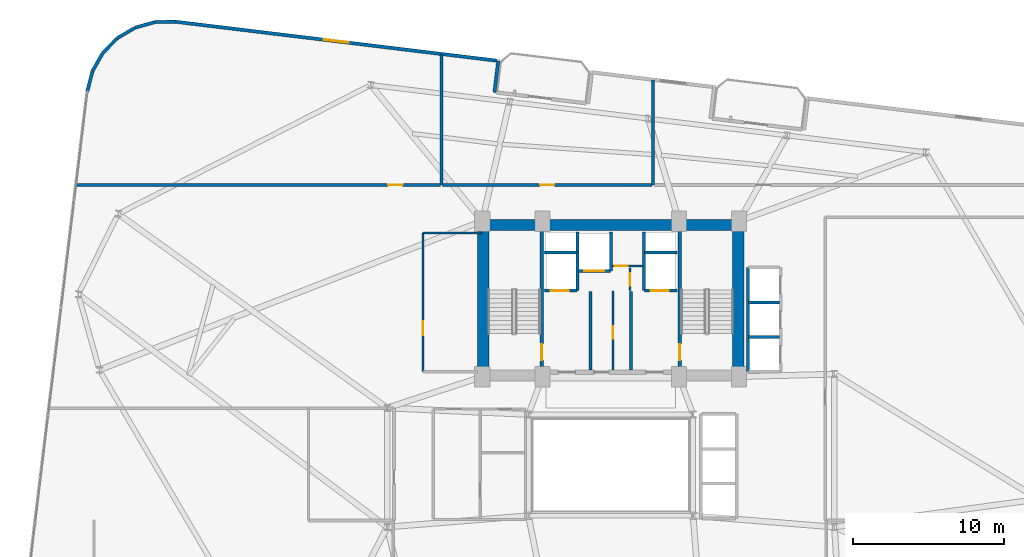
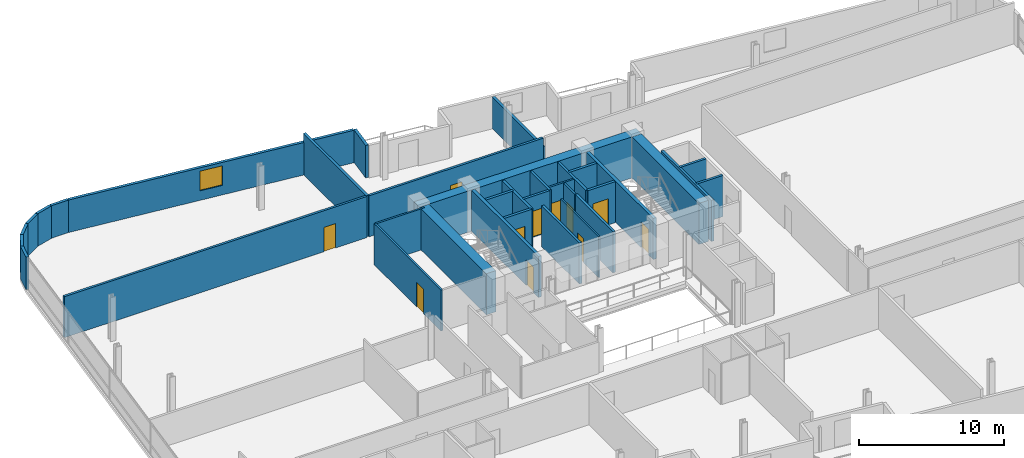
# One storey, part 22 of 25: 35 walls, 11 doors, 1 window, 12 openings.
"""IFC4 building model written with IfcOpenShell, lengths in metres."""

import ifcopenshell
import ifcopenshell.guid

model = None  # the IFC model being written
_history = None  # IfcOwnerHistory: only IFC2X3 demands one
_inside = {}  # id of a spatial element -> (the spatial element, [elements in it])
_under = {}  # id of a project, library or spatial element -> (it, [spatial elements below it])
_declared = {}  # id of a project -> (the project, [libraries it declares])
_typed = {}  # id of a type object -> (the type object, [elements of that type])
_made_of = {}  # id of a material, layer set ... -> (it, [elements and type objects made of it])


def new_model(schema):
    """Start an empty IFC model of exactly this schema.

    Asked for "IFC4X3", IfcOpenShell would pick the latest addendum, in which some entities
    have other attributes; the version numbers below select the first issue.
    IFC2X3 requires an IfcOwnerHistory on every rooted entity: one is made here for all.
    """
    global model, _history
    if schema == "IFC4X3":
        model = ifcopenshell.file(schema_version=(4, 3, 0, 0))
    else:
        model = ifcopenshell.file(schema=schema)
    _inside.clear()
    _under.clear()
    _declared.clear()
    _typed.clear()
    _made_of.clear()
    _history = None
    if model.schema == "IFC2X3":
        org = make("IfcOrganization", Name="unknown")
        user = make(
            "IfcPersonAndOrganization",
            ThePerson=make("IfcPerson", FamilyName="unknown"),
            TheOrganization=org,
        )
        app = make(
            "IfcApplication",
            ApplicationDeveloper=org,
            Version="unknown",
            ApplicationFullName="unknown",
            ApplicationIdentifier="unknown",
        )
        _history = make(
            "IfcOwnerHistory",
            OwningUser=user,
            OwningApplication=app,
            ChangeAction="ADDED",
            CreationDate=0,
        )
    return model


def make(cls, **values):
    """One entity of the class cls with the attributes given. An attribute that is None is left unset."""
    return model.create_entity(
        cls, **{name: value for name, value in values.items() if value is not None}
    )


def rooted(cls, **values):
    """An entity with a GlobalId (a new one), such as an element, a storey or a relation."""
    return make(cls, GlobalId=ifcopenshell.guid.new(), OwnerHistory=_history, **values)


def si_unit(unit_type, name, prefix=None):
    """IfcSIUnit, for example si_unit("LENGTHUNIT", "METRE", prefix="MILLI")."""
    return make("IfcSIUnit", UnitType=unit_type, Prefix=prefix, Name=name)


def assignment(units):
    """IfcUnitAssignment: the units of a project."""
    return None if units is None else make("IfcUnitAssignment", Units=units)


def point(xyz):
    """IfcCartesianPoint."""
    return None if xyz is None else make("IfcCartesianPoint", Coordinates=xyz)


def direction(xyz):
    """IfcDirection."""
    return None if xyz is None else make("IfcDirection", DirectionRatios=xyz)


def frame(location, z_axis=None, x_axis=None):
    """IfcAxis2Placement3D, a coordinate frame: its origin and axes. An axis left out is left unset."""
    return make(
        "IfcAxis2Placement3D",
        Location=point(location),
        Axis=direction(z_axis),
        RefDirection=direction(x_axis),
    )


def frame_2d(location, x_axis=None):
    """IfcAxis2Placement2D, a coordinate frame in the plane: its origin and x axis."""
    return make(
        "IfcAxis2Placement2D", Location=point(location), RefDirection=direction(x_axis)
    )


def origin():
    """The frame at (0, 0, 0) with its axes left unset."""
    return frame((0.0, 0.0, 0.0))


def place(relative_to, where):
    """IfcLocalPlacement: puts the frame where relative to a parent placement (None: the world)."""
    return make(
        "IfcLocalPlacement", PlacementRelTo=relative_to, RelativePlacement=where
    )


def context(
    kind, dimensions, precision=None, world=None, true_north=None, identifier=None
):
    """IfcGeometricRepresentationContext, for example the 3D "Model" context."""
    return make(
        "IfcGeometricRepresentationContext",
        ContextIdentifier=identifier,
        ContextType=kind,
        CoordinateSpaceDimension=dimensions,
        Precision=precision,
        WorldCoordinateSystem=world,
        TrueNorth=true_north,
    )


def subcontext(parent, identifier, kind, view, scale=None):
    """IfcGeometricRepresentationSubContext, for example "Body" below "Model"."""
    return make(
        "IfcGeometricRepresentationSubContext",
        ContextIdentifier=identifier,
        ContextType=kind,
        ParentContext=parent,
        TargetScale=scale,
        TargetView=view,
    )


def project(units=None, contexts=None):
    """IfcProject with its units and contexts."""
    return rooted(
        "IfcProject",
        Name="project",
        RepresentationContexts=contexts,
        UnitsInContext=assignment(units),
    )


def spatial(cls, under=None, at=None, **own):
    """A site, building, storey or space (cls), placed at a placement, below another one or the project."""
    s = rooted(cls, ObjectPlacement=at, **own)
    if under is not None:
        _under.setdefault(under.id(), (under, []))[1].append(s)
    return s


def profile(cls, at=None, kind="AREA", **sizes):
    """A parametric profile (cls). Its sizes go by their IFC names, for example OverallWidth=200.0."""
    return make(cls, ProfileType=kind, Position=at, **sizes)


def rectangle(**sizes):
    """IfcRectangleProfileDef."""
    return profile("IfcRectangleProfileDef", **sizes)


def extrude(swept, where, along, depth):
    """IfcExtrudedAreaSolid: the profile swept, set in the frame where, extruded along a direction by depth."""
    return make(
        "IfcExtrudedAreaSolid",
        SweptArea=swept,
        Position=where,
        ExtrudedDirection=direction(along),
        Depth=depth,
    )


def shape(context_of_items, identifier, shape_type, items):
    """IfcShapeRepresentation: the items that make up one representation, for example the "Body"."""
    return make(
        "IfcShapeRepresentation",
        ContextOfItems=context_of_items,
        RepresentationIdentifier=identifier,
        RepresentationType=shape_type,
        Items=items,
    )


def material(Name=None, Category=None):
    """IfcMaterial."""
    return make("IfcMaterial", Name=Name, Category=Category)


def layer(
    of_material, thickness, ventilated=None, Name=None, Category=None, Priority=None
):
    """IfcMaterialLayer: one layer of a wall or slab, of a material (None: an air gap)."""
    return make(
        "IfcMaterialLayer",
        Material=of_material,
        LayerThickness=thickness,
        IsVentilated=ventilated,
        Name=Name,
        Category=Category,
        Priority=Priority,
    )


def layer_set(layers, Name=None):
    """IfcMaterialLayerSet."""
    return make("IfcMaterialLayerSet", MaterialLayers=layers, LayerSetName=Name)


def made_of(thing, what):
    """Note that an element or type object is made of a material, layer set ...; save() writes the relation."""
    if what is not None:
        _made_of.setdefault(what.id(), (what, []))[1].append(thing)
    return thing


def type_object(cls, material=None, **own):
    """A type object (cls), such as IfcWallType, which elements share."""
    return made_of(rooted(cls, **own), material)


def element(
    cls,
    number,
    at=None,
    inside=None,
    cuts=None,
    type_object=None,
    material=None,
    context=None,
    identifier="Body",
    shape_type=None,
    held_by="IfcProductDefinitionShape",
    body=None,
    shapes=None,
    **own,
):
    """One element of the class cls, such as IfcWall. Its Tag is "e" and its number.

    at: its placement. inside: the storey or other place that contains it. cuts: it is an
    opening in that element (IfcRelVoidsElement). A single representation is given by context,
    identifier, shape_type and body (its items); several are given by shapes. held_by: the class
    of the entity that holds the representations. save() writes the other relations.
    """
    e = rooted(cls, Tag="e%d" % number, ObjectPlacement=at, **own)
    if body is not None:
        shapes = [shape(context, identifier, shape_type, body)]
    if shapes is not None:
        e.Representation = make(held_by, Representations=shapes)
    if inside is not None:
        _inside.setdefault(inside.id(), (inside, []))[1].append(e)
    if cuts is not None:
        rooted(
            "IfcRelVoidsElement", RelatingBuildingElement=cuts, RelatedOpeningElement=e
        )
    if type_object is not None:
        _typed.setdefault(type_object.id(), (type_object, []))[1].append(e)
    return made_of(e, material)


def fill(opening, filler):
    """IfcRelFillsElement: the door or window that sits in an opening."""
    return rooted(
        "IfcRelFillsElement",
        RelatingOpeningElement=opening,
        RelatedBuildingElement=filler,
    )


def aggregate(whole, parts):
    """IfcRelAggregates: a whole, such as a stair, and the parts it consists of."""
    return rooted("IfcRelAggregates", RelatingObject=whole, RelatedObjects=parts)


def save(model, path):
    """Write the relations noted so far, then the file.

    IfcRelAggregates (storeys below a building ...), IfcRelContainedInSpatialStructure (elements
    in a storey), IfcRelDefinesByType, IfcRelAssociatesMaterial and IfcRelDeclares: one each for
    every whole, place, type object, material and project.
    """
    for whole, parts in _under.values():
        aggregate(whole, parts)
    for where, things in _inside.values():
        rooted(
            "IfcRelContainedInSpatialStructure",
            RelatedElements=things,
            RelatingStructure=where,
        )
    for kind, things in _typed.values():
        rooted("IfcRelDefinesByType", RelatedObjects=things, RelatingType=kind)
    for what, things in _made_of.values():
        rooted("IfcRelAssociatesMaterial", RelatedObjects=things, RelatingMaterial=what)
    for by, libraries in _declared.values():
        rooted("IfcRelDeclares", RelatingContext=by, RelatedDefinitions=libraries)
    model.write(path)


model = new_model("IFC4")

# Units and contexts
model_context = context("Model", 3, precision=1e-05, world=origin(), true_north=direction((0.0, 1.0)))
body_context = subcontext(model_context, "Body", "Model", "MODEL_VIEW")
ifc_project = project(units=[si_unit("LENGTHUNIT", "METRE"), si_unit("AREAUNIT", "SQUARE_METRE"), si_unit("VOLUMEUNIT", "CUBIC_METRE"), si_unit("PLANEANGLEUNIT", "RADIAN"), si_unit("MASSUNIT", "GRAM", prefix="KILO")], contexts=[model_context])

# Site, building, storey
site_placement = place(None, origin())
site = spatial("IfcSite", under=ifc_project, at=site_placement, CompositionType="ELEMENT")
building_placement = place(site_placement, origin())
building = spatial("IfcBuilding", under=site, at=building_placement, Name="Varnelok Gate Tower", CompositionType="ELEMENT")
storey_placement = place(building_placement, frame((0.0, 0.0, 136.5)))
storey = spatial("IfcBuildingStorey", under=building, at=storey_placement, Name="L34", CompositionType="ELEMENT", Elevation=136.5)

# Wall
ifc_material_1 = material(Name="Concrete C45/55", Category="concrete")
ifc_layer_1 = layer(ifc_material_1, 0.219970703125)
ifc_layer_set_1 = layer_set([ifc_layer_1], Name="Concrete C45/55")
wall_type_1 = type_object("IfcWallType", Name="EW-BALC-220", PredefinedType="SOLIDWALL", material=ifc_layer_set_1)
wall_1_placement = place(storey_placement, frame((31.50390625, 47.568115234375, 0.0), z_axis=(0.0, 0.0, 1.0), x_axis=(0.120341784665, 0.992732519294, 0.0)))
element("IfcWall", 1, at=wall_1_placement, inside=storey, type_object=wall_type_1, Name="L34 Perimeter Facade Closure Wall 31", PredefinedType="SOLIDWALL", context=body_context, shape_type="SweptSolid", body=[
    extrude(rectangle(XDim=2.099853515625, YDim=0.219970703125, at=frame_2d((1.0498046875, 0.0))), origin(), (0.0, 0.0, 1.0), 2.72998046875),
])

# Wall, opening, window
wall_2_placement = place(storey_placement, frame((31.632568359375, 49.667724609375, 0.0), z_axis=(0.0, 0.0, 1.0), x_axis=(-0.992731670483, 0.120348786531, 0.0)))
wall_2 = element("IfcWall", 2, at=wall_2_placement, inside=storey, type_object=wall_type_1, Name="L34 Perimeter Facade Closure Wall 32", PredefinedType="SOLIDWALL", context=body_context, shape_type="SweptSolid", body=[
    extrude(rectangle(XDim=21.34716796875, YDim=0.219970703125, at=frame_2d((10.673583984375, 0.0))), origin(), (0.0, 0.0, 1.0), 2.72998046875),
])
opening_1_placement = place(wall_2_placement, frame((9.8486328125, 0.0, 0.800048828125)))
opening_1 = element("IfcOpeningElement", 3, at=opening_1_placement, cuts=wall_2, Name="Opening WN3", PredefinedType="OPENING", context=body_context, shape_type="SweptSolid", body=[
    extrude(rectangle(XDim=1.64990234375, YDim=1.64990234375, at=frame_2d((0.824951171875, 0.824951171875))), frame((0.0, 0.119873046875, 0.0), z_axis=(0.0, -1.0, 0.0), x_axis=(1.0, 0.0, 0.0)), (0.0, 0.0, 1.0), 0.239990234375),
])
ifc_material_2 = material(Name="Low-E Laminated Double Glazing IGU", Category="glass")
window_type = type_object("IfcWindowType", Name="WN-HTL-1650", PartitioningType="SINGLE_PANEL", PredefinedType="WINDOW", material=ifc_material_2)
window_placement = place(opening_1_placement, origin())
window = element("IfcWindow", 4, at=window_placement, inside=storey, type_object=window_type, Name="L34 Perimeter Vision Window 32", OverallHeight=1.64990234375, OverallWidth=1.64990234375, PartitioningType="SINGLE_PANEL", PredefinedType="WINDOW", context=body_context, shape_type="SweptSolid", body=[
    extrude(rectangle(XDim=1.64990234375, YDim=1.64990234375, at=frame_2d((0.824951171875, 0.824951171875))), frame((0.0, 0.030029296875, 0.0), z_axis=(0.0, -1.0, 0.0), x_axis=(1.0, 0.0, 0.0)), (0.0, 0.0, 1.0), 0.06005859375),
])
fill(opening_1, window)

# Walls
wall_3_placement = place(storey_placement, frame((10.41552734375, 52.236572265625, 0.0), z_axis=(0.0, 0.0, 1.0), x_axis=(-0.999947718056, -0.010225514878, 0.0)))
element("IfcWall", 5, at=wall_3_placement, inside=storey, type_object=wall_type_1, Name="L34 Perimeter Facade Closure Wall 33", PredefinedType="SOLIDWALL", context=body_context, shape_type="SweptSolid", body=[
    extrude(rectangle(XDim=1.36083984375, YDim=0.219970703125, at=frame_2d((0.680419921875, 0.0))), origin(), (0.0, 0.0, 1.0), 2.72998046875),
])
for number, where, z_axis, x_axis, name in (
    (6, (9.030517578125, 52.2158203125, 0.0), (0.0, 0.0, 1.0), (-0.963227802828, -0.268686061898, 0.0), "L34 Perimeter Facade Closure Wall 34"),
    (7, (7.70556640625, 51.839599609375, 0.0), (0.0, 0.0, 1.0), (-0.860739665837, -0.509045408244, 0.0), "L34 Perimeter Facade Closure Wall 35"),
):
    element("IfcWall", number, at=place(storey_placement, frame(where, z_axis=z_axis, x_axis=x_axis)), inside=storey, type_object=wall_type_1, Name=name, PredefinedType="SOLIDWALL", context=body_context, shape_type="SweptSolid", body=[
        extrude(rectangle(XDim=1.35302734375, YDim=0.219970703125, at=frame_2d((0.676513671875, 0.0))), origin(), (0.0, 0.0, 1.0), 2.72998046875),
    ])
wall_4_placement = place(storey_placement, frame((6.5234375, 51.13330078125, 0.0), z_axis=(0.0, 0.0, 1.0), x_axis=(-0.699762925925, -0.714375144795, 0.0)))
element("IfcWall", 8, at=wall_4_placement, inside=storey, type_object=wall_type_1, Name="L34 Perimeter Facade Closure Wall 36", PredefinedType="SOLIDWALL", context=body_context, shape_type="SweptSolid", body=[
    extrude(rectangle(XDim=1.353271484375, YDim=0.219970703125, at=frame_2d((0.6767578125, 0.0))), origin(), (0.0, 0.0, 1.0), 2.72998046875),
])
wall_5_placement = place(storey_placement, frame((5.564208984375, 50.144775390625, 0.0), z_axis=(0.0, 0.0, 1.0), x_axis=(-0.491117621399, -0.871093268227, 0.0)))
element("IfcWall", 9, at=wall_5_placement, inside=storey, type_object=wall_type_1, Name="L34 Perimeter Facade Closure Wall 37", PredefinedType="SOLIDWALL", context=body_context, shape_type="SweptSolid", body=[
    extrude(rectangle(XDim=1.35302734375, YDim=0.219970703125, at=frame_2d((0.676513671875, 0.0))), origin(), (0.0, 0.0, 1.0), 2.72998046875),
])
wall_6_placement = place(storey_placement, frame((4.8935546875, 48.94189453125, 0.0), z_axis=(0.0, 0.0, 1.0), x_axis=(-0.248857256909, -0.968540172468, 0.0)))
element("IfcWall", 10, at=wall_6_placement, inside=storey, type_object=wall_type_1, Name="L34 Perimeter Facade Closure Wall 38", PredefinedType="SOLIDWALL", context=body_context, shape_type="SweptSolid", body=[
    extrude(rectangle(XDim=1.352783203125, YDim=0.219970703125, at=frame_2d((0.67626953125, 0.0))), origin(), (0.0, 0.0, 1.0), 2.72998046875),
])

# Wall, opening, door
ifc_material_3 = material(Name="Gypsum Plasterboard Acoustic Partition", Category="gypsum")
ifc_layer_2 = layer(ifc_material_3, 0.179931640625)
ifc_layer_set_2 = layer_set([ifc_layer_2], Name="Gypsum Plasterboard Acoustic Partition")
wall_type_2 = type_object("IfcWallType", Name="PW-CORR-180", PredefinedType="PARTITIONING", material=ifc_layer_set_2)
wall_7_placement = place(storey_placement, frame((3.864013671875, 41.429931640625, 0.0), z_axis=(0.0, 0.0, 1.0), x_axis=(1.0, 0.0, 0.0)))
wall_7 = element("IfcWall", 11, at=wall_7_placement, inside=storey, type_object=wall_type_2, Name="Interior Partition", PredefinedType="PARTITIONING", context=body_context, shape_type="SweptSolid", body=[
    extrude(rectangle(XDim=24.055908203125, YDim=0.179931640625, at=frame_2d((12.02783203125, 0.0))), origin(), (0.0, 0.0, 1.0), 3.449951171875),
])
opening_2_placement = place(wall_7_placement, frame((20.61083984375, 0.0, 0.0)))
opening_2 = element("IfcOpeningElement", 12, at=opening_2_placement, cuts=wall_7, Name="Opening D-I2", PredefinedType="OPENING", context=body_context, shape_type="SweptSolid", body=[
    extrude(rectangle(XDim=0.949951171875, YDim=2.050048828125, at=frame_2d((0.47509765625, 1.02490234375))), frame((0.0, 0.099853515625, 0.0), z_axis=(0.0, -1.0, 0.0), x_axis=(1.0, 0.0, 0.0)), (0.0, 0.0, 1.0), 0.199951171875),
])
ifc_material_4 = material(Name="Engineered Hardwood Timber", Category="wood")
door_type_1 = type_object("IfcDoorType", Name="DR-INT-950", OperationType="NOTDEFINED", PredefinedType="DOOR", material=ifc_material_4)
door_1_placement = place(opening_2_placement, origin())
door_1 = element("IfcDoor", 13, at=door_1_placement, inside=storey, type_object=door_type_1, Name="L34 Executive Business Office 1 Door", OperationType="SINGLE_SWING_LEFT", OverallHeight=2.050048828125, OverallWidth=0.949951171875, PredefinedType="DOOR", context=body_context, shape_type="SweptSolid", body=[
    extrude(rectangle(XDim=0.949951171875, YDim=2.050048828125, at=frame_2d((0.47509765625, 1.02490234375))), frame((0.0, 0.02490234375, 0.0), z_axis=(0.0, -1.0, 0.0), x_axis=(1.0, 0.0, 0.0)), (0.0, 0.0, 1.0), 0.050048828125),
])
fill(opening_2, door_1)

wall_8_placement = place(storey_placement, frame((28.080078125, 41.429931640625, 0.0), z_axis=(0.0, 0.0, 1.0), x_axis=(1.0, 0.0, 0.0)))
wall_8 = element("IfcWall", 14, at=wall_8_placement, inside=storey, type_object=wall_type_2, Name="Interior Partition", PredefinedType="PARTITIONING", context=body_context, shape_type="SweptSolid", body=[
    extrude(rectangle(XDim=13.83984375, YDim=0.179931640625, at=frame_2d((6.919921875, 0.0))), origin(), (0.0, 0.0, 1.0), 3.449951171875),
])
opening_3_placement = place(wall_8_placement, frame((6.445068359375, 0.0, 0.0)))
opening_3 = element("IfcOpeningElement", 15, at=opening_3_placement, cuts=wall_8, Name="Opening D-I2", PredefinedType="OPENING", context=body_context, shape_type="SweptSolid", body=[
    extrude(rectangle(XDim=0.949951171875, YDim=2.050048828125, at=frame_2d((0.47509765625, 1.02490234375))), frame((0.0, 0.099853515625, 0.0), z_axis=(0.0, -1.0, 0.0), x_axis=(1.0, 0.0, 0.0)), (0.0, 0.0, 1.0), 0.199951171875),
])
door_2_placement = place(opening_3_placement, origin())
door_2 = element("IfcDoor", 16, at=door_2_placement, inside=storey, type_object=door_type_1, Name="L34 Executive Business Office 2 Door", OperationType="SINGLE_SWING_LEFT", OverallHeight=2.050048828125, OverallWidth=0.949951171875, PredefinedType="DOOR", context=body_context, shape_type="SweptSolid", body=[
    extrude(rectangle(XDim=0.949951171875, YDim=2.050048828125, at=frame_2d((0.47509765625, 1.02490234375))), frame((0.0, 0.02490234375, 0.0), z_axis=(0.0, -1.0, 0.0), x_axis=(1.0, 0.0, 0.0)), (0.0, 0.0, 1.0), 0.050048828125),
])
fill(opening_3, door_2)

ifc_layer_3 = layer(ifc_material_3, 0.125)
ifc_layer_set_3 = layer_set([ifc_layer_3], Name="Gypsum Plasterboard Acoustic Partition")
wall_type_3 = type_object("IfcWallType", Name="PW-PART-125", PredefinedType="PARTITIONING", material=ifc_layer_set_3)
wall_9_placement = place(storey_placement, frame((39.35009765625, 29.199951171875, 0.0), z_axis=(0.0, 0.0, 1.0), x_axis=(0.0, 1.0, 0.0)))
wall_9 = element("IfcWall", 17, at=wall_9_placement, inside=storey, type_object=wall_type_3, Name="Interior Partition", PredefinedType="PARTITIONING", context=body_context, shape_type="SweptSolid", body=[
    extrude(rectangle(XDim=5.219970703125, YDim=0.125, at=frame_2d((2.60986328125, 0.0))), origin(), (0.0, 0.0, 1.0), 3.449951171875),
])
opening_4_placement = place(wall_9_placement, frame((2.050048828125, 0.0, 0.0)))
opening_4 = element("IfcOpeningElement", 18, at=opening_4_placement, cuts=wall_9, Name="Opening D-RS", PredefinedType="OPENING", context=body_context, shape_type="SweptSolid", body=[
    extrude(rectangle(XDim=0.85009765625, YDim=2.050048828125, at=frame_2d((0.425048828125, 1.02490234375))), frame((0.0, 0.072509765625, 0.0), z_axis=(0.0, -1.0, 0.0), x_axis=(1.0, 0.0, 0.0)), (0.0, 0.0, 1.0), 0.14501953125),
])
ifc_material_5 = material(Name="Galvanized Steel Grade S350GD", Category="steel")
door_type_2 = type_object("IfcDoorType", Name="DR-RISER-850", OperationType="NOTDEFINED", PredefinedType="DOOR", material=ifc_material_5)
door_3_placement = place(opening_4_placement, origin())
door_3 = element("IfcDoor", 19, at=door_3_placement, inside=storey, type_object=door_type_2, Name="L34 Housekeeping Linen Door", OperationType="SINGLE_SWING_RIGHT", OverallHeight=2.050048828125, OverallWidth=0.85009765625, PredefinedType="DOOR", context=body_context, shape_type="SweptSolid", body=[
    extrude(rectangle(XDim=0.85009765625, YDim=2.050048828125, at=frame_2d((0.425048828125, 1.02490234375))), frame((0.0, 0.02490234375, 0.0), z_axis=(0.0, -1.0, 0.0), x_axis=(1.0, 0.0, 0.0)), (0.0, 0.0, 1.0), 0.050048828125),
])
fill(opening_4, door_3)

ifc_layer_4 = layer(ifc_material_3, 0.14990234375)
ifc_layer_set_4 = layer_set([ifc_layer_4], Name="Gypsum Plasterboard Acoustic Partition")
wall_type_4 = type_object("IfcWallType", Name="PW-PART-150", PredefinedType="PARTITIONING", material=ifc_layer_set_4)
wall_10_placement = place(storey_placement, frame((39.300048828125, 36.080078125, 0.0), z_axis=(0.0, 0.0, 1.0), x_axis=(1.0, 0.0, 0.0)))
wall_10 = element("IfcWall", 20, at=wall_10_placement, inside=storey, type_object=wall_type_4, Name="L34 Electrical Closet South Wall", PredefinedType="PARTITIONING", context=body_context, shape_type="SweptSolid", body=[
    extrude(rectangle(XDim=2.02001953125, YDim=0.14990234375, at=frame_2d((1.010009765625, 0.0))), origin(), (0.0, 0.0, 1.0), 3.449951171875),
])
opening_5_placement = place(wall_10_placement, frame((0.179931640625, 0.0, 0.0)))
opening_5 = element("IfcOpeningElement", 21, at=opening_5_placement, cuts=wall_10, Name="Opening D-RS", PredefinedType="OPENING", context=body_context, shape_type="SweptSolid", body=[
    extrude(rectangle(XDim=0.85009765625, YDim=2.050048828125, at=frame_2d((0.425048828125, 1.02490234375))), frame((0.0, 0.0849609375, 0.0), z_axis=(0.0, -1.0, 0.0), x_axis=(1.0, 0.0, 0.0)), (0.0, 0.0, 1.0), 0.169921875),
])
door_4_placement = place(opening_5_placement, origin())
door_4 = element("IfcDoor", 22, at=door_4_placement, inside=storey, type_object=door_type_2, Name="L34 Electrical Closet Door", OperationType="SINGLE_SWING_RIGHT", OverallHeight=2.050048828125, OverallWidth=0.85009765625, PredefinedType="DOOR", context=body_context, shape_type="SweptSolid", body=[
    extrude(rectangle(XDim=0.85009765625, YDim=2.050048828125, at=frame_2d((0.425048828125, 1.02490234375))), frame((0.0, 0.02490234375, 0.0), z_axis=(0.0, -1.0, 0.0), x_axis=(1.0, 0.0, 0.0)), (0.0, 0.0, 1.0), 0.050048828125),
])
fill(opening_5, door_4)

wall_11_placement = place(storey_placement, frame((40.47998046875, 34.43994140625, 0.0), z_axis=(0.0, 0.0, 1.0), x_axis=(0.0, 1.0, 0.0)))
wall_11 = element("IfcWall", 23, at=wall_11_placement, inside=storey, type_object=wall_type_4, Name="L34 Telecoms Closet West Wall", PredefinedType="PARTITIONING", context=body_context, shape_type="SweptSolid", body=[
    extrude(rectangle(XDim=1.52001953125, YDim=0.14990234375, at=frame_2d((0.760009765625, 0.0))), origin(), (0.0, 0.0, 1.0), 3.449951171875),
])
opening_6_placement = place(wall_11_placement, frame((0.320068359375, 0.0, 0.0)))
opening_6 = element("IfcOpeningElement", 24, at=opening_6_placement, cuts=wall_11, Name="Opening D-RS", PredefinedType="OPENING", context=body_context, shape_type="SweptSolid", body=[
    extrude(rectangle(XDim=0.85009765625, YDim=2.050048828125, at=frame_2d((0.425048828125, 1.02490234375))), frame((0.0, 0.0849609375, 0.0), z_axis=(0.0, -1.0, 0.0), x_axis=(1.0, 0.0, 0.0)), (0.0, 0.0, 1.0), 0.169921875),
])
door_5_placement = place(opening_6_placement, origin())
door_5 = element("IfcDoor", 25, at=door_5_placement, inside=storey, type_object=door_type_2, Name="L34 Telecoms Closet Door", OperationType="SINGLE_SWING_LEFT", OverallHeight=2.050048828125, OverallWidth=0.85009765625, PredefinedType="DOOR", context=body_context, shape_type="SweptSolid", body=[
    extrude(rectangle(XDim=0.85009765625, YDim=2.050048828125, at=frame_2d((0.425048828125, 1.02490234375))), frame((0.0, 0.02490234375, 0.0), z_axis=(0.0, -1.0, 0.0), x_axis=(1.0, 0.0, 0.0)), (0.0, 0.0, 1.0), 0.050048828125),
])
fill(opening_6, door_5)

# Wall
wall_12_placement = place(storey_placement, frame((26.780029296875, 38.260009765625, 0.0), z_axis=(0.0, 0.0, 1.0), x_axis=(1.0, 0.0, 0.0)))
element("IfcWall", 26, at=wall_12_placement, inside=storey, type_object=wall_type_4, Name="Interior Partition", PredefinedType="PARTITIONING", context=body_context, shape_type="SweptSolid", body=[
    extrude(rectangle(XDim=3.89990234375, YDim=0.14990234375, at=frame_2d((1.949951171875, 0.0))), origin(), (0.0, 0.0, 1.0), 3.449951171875),
])

# Wall, opening, door
wall_13_placement = place(storey_placement, frame((26.780029296875, 29.080078125, 0.0), z_axis=(0.0, 0.0, 1.0), x_axis=(0.0, 1.0, 0.0)))
wall_13 = element("IfcWall", 27, at=wall_13_placement, inside=storey, type_object=wall_type_4, Name="Interior Partition", PredefinedType="PARTITIONING", context=body_context, shape_type="SweptSolid", body=[
    extrude(rectangle(XDim=9.179931640625, YDim=0.14990234375, at=frame_2d((4.58984375, 0.0))), origin(), (0.0, 0.0, 1.0), 3.449951171875),
])
opening_7_placement = place(wall_13_placement, frame((2.39990234375, 0.0, 0.0)))
opening_7 = element("IfcOpeningElement", 28, at=opening_7_placement, cuts=wall_13, Name="Opening D-I2", PredefinedType="OPENING", context=body_context, shape_type="SweptSolid", body=[
    extrude(rectangle(XDim=0.949951171875, YDim=2.050048828125, at=frame_2d((0.47509765625, 1.02490234375))), frame((0.0, 0.0849609375, 0.0), z_axis=(0.0, -1.0, 0.0), x_axis=(1.0, 0.0, 0.0)), (0.0, 0.0, 1.0), 0.169921875),
])
door_6_placement = place(opening_7_placement, origin())
door_6 = element("IfcDoor", 29, at=door_6_placement, inside=storey, type_object=door_type_1, Name="L34 Reclaimed Housekeeping Door", OperationType="SINGLE_SWING_RIGHT", OverallHeight=2.050048828125, OverallWidth=0.949951171875, PredefinedType="DOOR", context=body_context, shape_type="SweptSolid", body=[
    extrude(rectangle(XDim=0.949951171875, YDim=2.050048828125, at=frame_2d((0.47509765625, 1.02490234375))), frame((0.0, 0.02490234375, 0.0), z_axis=(0.0, -1.0, 0.0), x_axis=(1.0, 0.0, 0.0)), (0.0, 0.0, 1.0), 0.050048828125),
])
fill(opening_7, door_6)

# Walls
ifc_layer_5 = layer(ifc_material_3, 0.205078125)
ifc_layer_set_5 = layer_set([ifc_layer_5], Name="Gypsum Plasterboard Acoustic Partition")
wall_type_5 = type_object("IfcWallType", Name="PW-PARTY-200", PredefinedType="PARTITIONING", material=ifc_layer_set_5)
wall_14_placement = place(storey_placement, frame((28.0, 41.429931640625, 0.0), z_axis=(0.0, 0.0, 1.0), x_axis=(0.0, 1.0, 0.0)))
element("IfcWall", 30, at=wall_14_placement, inside=storey, type_object=wall_type_5, Name="L34 North Party Wall 1", PredefinedType="PARTITIONING", context=body_context, shape_type="SweptSolid", body=[
    extrude(rectangle(XDim=8.657958984375, YDim=0.205078125, at=frame_2d((4.3291015625, 0.0))), origin(), (0.0, 0.0, 1.0), 3.449951171875),
])
wall_15_placement = place(storey_placement, frame((42.0, 41.429931640625, 0.0), z_axis=(0.0, 0.0, 1.0), x_axis=(0.0, 1.0, 0.0)))
element("IfcWall", 31, at=wall_15_placement, inside=storey, type_object=wall_type_5, Name="L34 North Party Wall 2", PredefinedType="PARTITIONING", context=body_context, shape_type="SweptSolid", body=[
    extrude(rectangle(XDim=6.9609375, YDim=0.205078125, at=frame_2d((3.48046875, 0.0))), origin(), (0.0, 0.0, 1.0), 2.662109375),
])
ifc_material_6 = material(Name="Concrete C35/45", Category="concrete")
ifc_layer_6 = layer(ifc_material_6, 0.199951171875)
ifc_layer_set_6 = layer_set([ifc_layer_6], Name="Concrete C35/45")
wall_type_6 = type_object("IfcWallType", Name="PW-SHAFT-200", PredefinedType="PARTITIONING", material=ifc_layer_set_6)
for number, where, z_axis, x_axis, name in (
    (32, (37.860107421875, 29.199951171875, 0.0), (0.0, 0.0, 1.0), (0.0, 1.0, 0.0), "L34 West FF Lobby Rated Wall"),
    (33, (40.5400390625, 29.199951171875, 0.0), (0.0, 0.0, 1.0), (0.0, 1.0, 0.0), "L34 East FF Lobby Rated Wall"),
):
    element("IfcWall", number, at=place(storey_placement, frame(where, z_axis=z_axis, x_axis=x_axis)), inside=storey, type_object=wall_type_6, Name=name, PredefinedType="PARTITIONING", context=body_context, shape_type="SweptSolid", body=[
        extrude(rectangle(XDim=5.179931640625, YDim=0.199951171875, at=frame_2d((2.58984375, 0.0))), origin(), (0.0, 0.0, 1.0), 3.449951171875),
    ])

# Wall, opening, door
wall_16_placement = place(storey_placement, frame((34.800048828125, 34.43994140625, 0.0), z_axis=(0.0, 0.0, 1.0), x_axis=(1.0, 0.0, 0.0)))
wall_16 = element("IfcWall", 34, at=wall_16_placement, inside=storey, type_object=wall_type_6, Name="L34 FF1 Shaft Front Wall", PredefinedType="PARTITIONING", context=body_context, shape_type="SweptSolid", body=[
    extrude(rectangle(XDim=2.179931640625, YDim=0.199951171875, at=frame_2d((1.08984375, 0.0))), origin(), (0.0, 0.0, 1.0), 3.449951171875),
])
opening_8_placement = place(wall_16_placement, frame((0.419921875, 0.0, 0.0)))
opening_8 = element("IfcOpeningElement", 35, at=opening_8_placement, cuts=wall_16, Name="Opening LD-FF1", PredefinedType="OPENING", context=body_context, shape_type="SweptSolid", body=[
    extrude(rectangle(XDim=1.199951171875, YDim=2.199951171875, at=frame_2d((0.60009765625, 1.10009765625))), frame((0.0, 0.10986328125, 0.0), z_axis=(0.0, -1.0, 0.0), x_axis=(1.0, 0.0, 0.0)), (0.0, 0.0, 1.0), 0.219970703125),
])
door_type_3 = type_object("IfcDoorType", Name="DR-LIFT-FF1200", OperationType="SLIDING_TO_LEFT", PredefinedType="DOOR", material=ifc_material_5)
door_7_placement = place(opening_8_placement, origin())
door_7 = element("IfcDoor", 36, at=door_7_placement, inside=storey, type_object=door_type_3, Name="L34 Firefighting Lift Landing Door LD-FF1", OperationType="SLIDING_TO_LEFT", OverallHeight=2.199951171875, OverallWidth=1.199951171875, PredefinedType="DOOR", context=body_context, shape_type="SweptSolid", body=[
    extrude(rectangle(XDim=1.199951171875, YDim=2.199951171875, at=frame_2d((0.60009765625, 1.10009765625))), frame((0.0, 0.02490234375, 0.0), z_axis=(0.0, -1.0, 0.0), x_axis=(1.0, 0.0, 0.0)), (0.0, 0.0, 1.0), 0.050048828125),
])
fill(opening_8, door_7)

# Walls
wall_17_placement = place(storey_placement, frame((34.800048828125, 36.97998046875, 0.0), z_axis=(0.0, 0.0, 1.0), x_axis=(1.0, 0.0, 0.0)))
element("IfcWall", 37, at=wall_17_placement, inside=storey, type_object=wall_type_6, Name="L34 FF1 Shaft North Wall", PredefinedType="PARTITIONING", context=body_context, shape_type="SweptSolid", body=[
    extrude(rectangle(XDim=2.179931640625, YDim=0.199951171875, at=frame_2d((1.08984375, 0.0))), origin(), (0.0, 0.0, 1.0), 3.449951171875),
])
wall_18_placement = place(storey_placement, frame((37.0, 34.43994140625, 0.0), z_axis=(0.0, 0.0, 1.0), x_axis=(0.0, 1.0, 0.0)))
element("IfcWall", 38, at=wall_18_placement, inside=storey, type_object=wall_type_6, Name="L34 FF1 Shaft Side Wall", PredefinedType="PARTITIONING", context=body_context, shape_type="SweptSolid", body=[
    extrude(rectangle(XDim=3.900146484375, YDim=0.199951171875, at=frame_2d((1.9501953125, 0.0))), origin(), (0.0, 0.0, 1.0), 3.449951171875),
])

# Wall, opening, door
wall_19_placement = place(storey_placement, frame((41.419921875, 34.43994140625, 0.0), z_axis=(0.0, 0.0, 1.0), x_axis=(1.0, 0.0, 0.0)))
wall_19 = element("IfcWall", 39, at=wall_19_placement, inside=storey, type_object=wall_type_6, Name="L34 FF2 Shaft Front Wall", PredefinedType="PARTITIONING", context=body_context, shape_type="SweptSolid", body=[
    extrude(rectangle(XDim=2.18017578125, YDim=0.199951171875, at=frame_2d((1.090087890625, 0.0))), origin(), (0.0, 0.0, 1.0), 3.449951171875),
])
opening_9_placement = place(wall_19_placement, frame((0.419921875, 0.0, 0.0)))
opening_9 = element("IfcOpeningElement", 40, at=opening_9_placement, cuts=wall_19, Name="Opening LD-FF2", PredefinedType="OPENING", context=body_context, shape_type="SweptSolid", body=[
    extrude(rectangle(XDim=1.199951171875, YDim=2.199951171875, at=frame_2d((0.60009765625, 1.10009765625))), frame((0.0, 0.10986328125, 0.0), z_axis=(0.0, -1.0, 0.0), x_axis=(1.0, 0.0, 0.0)), (0.0, 0.0, 1.0), 0.219970703125),
])
door_8_placement = place(opening_9_placement, origin())
door_8 = element("IfcDoor", 41, at=door_8_placement, inside=storey, type_object=door_type_3, Name="L34 Firefighting Lift Landing Door LD-FF2", OperationType="SLIDING_TO_LEFT", OverallHeight=2.199951171875, OverallWidth=1.199951171875, PredefinedType="DOOR", context=body_context, shape_type="SweptSolid", body=[
    extrude(rectangle(XDim=1.199951171875, YDim=2.199951171875, at=frame_2d((0.60009765625, 1.10009765625))), frame((0.0, 0.02490234375, 0.0), z_axis=(0.0, -1.0, 0.0), x_axis=(1.0, 0.0, 0.0)), (0.0, 0.0, 1.0), 0.050048828125),
])
fill(opening_9, door_8)

# Walls
wall_20_placement = place(storey_placement, frame((41.419921875, 36.97998046875, 0.0), z_axis=(0.0, 0.0, 1.0), x_axis=(1.0, 0.0, 0.0)))
element("IfcWall", 42, at=wall_20_placement, inside=storey, type_object=wall_type_6, Name="L34 FF2 Shaft North Wall", PredefinedType="PARTITIONING", context=body_context, shape_type="SweptSolid", body=[
    extrude(rectangle(XDim=2.18017578125, YDim=0.199951171875, at=frame_2d((1.090087890625, 0.0))), origin(), (0.0, 0.0, 1.0), 3.449951171875),
])
wall_21_placement = place(storey_placement, frame((41.39990234375, 34.43994140625, 0.0), z_axis=(0.0, 0.0, 1.0), x_axis=(0.0, 1.0, 0.0)))
element("IfcWall", 43, at=wall_21_placement, inside=storey, type_object=wall_type_6, Name="L34 FF2 Shaft Side Wall", PredefinedType="PARTITIONING", context=body_context, shape_type="SweptSolid", body=[
    extrude(rectangle(XDim=3.900146484375, YDim=0.199951171875, at=frame_2d((1.9501953125, 0.0))), origin(), (0.0, 0.0, 1.0), 3.449951171875),
])

# Wall, opening, door
wall_22_placement = place(storey_placement, frame((37.06005859375, 35.75, 0.0), z_axis=(0.0, 0.0, 1.0), x_axis=(1.0, 0.0, 0.0)))
wall_22 = element("IfcWall", 44, at=wall_22_placement, inside=storey, type_object=wall_type_6, Name="L34 SV1 Shaft Front Wall", PredefinedType="PARTITIONING", context=body_context, shape_type="SweptSolid", body=[
    extrude(rectangle(XDim=2.119873046875, YDim=0.199951171875, at=frame_2d((1.06005859375, 0.0))), origin(), (0.0, 0.0, 1.0), 3.449951171875),
])
opening_10_placement = place(wall_22_placement, frame((0.39990234375, 0.0, 0.0)))
opening_10 = element("IfcOpeningElement", 45, at=opening_10_placement, cuts=wall_22, Name="Opening LD-SV1", PredefinedType="OPENING", context=body_context, shape_type="SweptSolid", body=[
    extrude(rectangle(XDim=1.300048828125, YDim=2.199951171875, at=frame_2d((0.64990234375, 1.10009765625))), frame((0.0, 0.10986328125, 0.0), z_axis=(0.0, -1.0, 0.0), x_axis=(1.0, 0.0, 0.0)), (0.0, 0.0, 1.0), 0.219970703125),
])
door_type_4 = type_object("IfcDoorType", Name="DR-LIFT-SV1300", OperationType="SLIDING_TO_LEFT", PredefinedType="DOOR", material=ifc_material_5)
door_9_placement = place(opening_10_placement, origin())
door_9 = element("IfcDoor", 46, at=door_9_placement, inside=storey, type_object=door_type_4, Name="L34 Service Lift Landing Door LD-SV1", OperationType="SLIDING_TO_LEFT", OverallHeight=2.199951171875, OverallWidth=1.300048828125, PredefinedType="DOOR", context=body_context, shape_type="SweptSolid", body=[
    extrude(rectangle(XDim=1.300048828125, YDim=2.199951171875, at=frame_2d((0.64990234375, 1.10009765625))), frame((0.0, 0.02490234375, 0.0), z_axis=(0.0, -1.0, 0.0), x_axis=(1.0, 0.0, 0.0)), (0.0, 0.0, 1.0), 0.050048828125),
])
fill(opening_10, door_9)

# Walls
wall_23_placement = place(storey_placement, frame((39.219970703125, 35.75, 0.0), z_axis=(0.0, 0.0, 1.0), x_axis=(0.0, 1.0, 0.0)))
element("IfcWall", 47, at=wall_23_placement, inside=storey, type_object=wall_type_6, Name="L34 SV1 Shaft East Wall", PredefinedType="PARTITIONING", context=body_context, shape_type="SweptSolid", body=[
    extrude(rectangle(XDim=2.590087890625, YDim=0.199951171875, at=frame_2d((1.294921875, 0.0))), origin(), (0.0, 0.0, 1.0), 3.449951171875),
])
for number, where, z_axis, x_axis, name in (
    (48, (48.320068359375, 31.375, 0.0), (0.0, 0.0, 1.0), (1.0, 0.0, 0.0), "L34 PM1 Divider"),
    (49, (48.320068359375, 33.675048828125, 0.0), (0.0, 0.0, 1.0), (1.0, 0.0, 0.0), "L34 PM2 Divider"),
):
    element("IfcWall", number, at=place(storey_placement, frame(where, z_axis=z_axis, x_axis=x_axis)), inside=storey, type_object=wall_type_6, Name=name, PredefinedType="PARTITIONING", context=body_context, shape_type="SweptSolid", body=[
        extrude(rectangle(XDim=2.059814453125, YDim=0.199951171875, at=frame_2d((1.02978515625, 0.0))), origin(), (0.0, 0.0, 1.0), 3.449951171875),
    ])
wall_24_placement = place(storey_placement, frame((48.280029296875, 29.080078125, 0.0), z_axis=(0.0, 0.0, 1.0), x_axis=(0.0, 1.0, 0.0)))
element("IfcWall", 50, at=wall_24_placement, inside=storey, type_object=wall_type_6, Name="L34 PM Bank Back Wall", PredefinedType="PARTITIONING", context=body_context, shape_type="SweptSolid", body=[
    extrude(rectangle(XDim=6.889892578125, YDim=0.199951171875, at=frame_2d((3.44482421875, 0.0))), origin(), (0.0, 0.0, 1.0), 3.449951171875),
])
ifc_material_7 = material(Name="Concrete C70/85", Category="concrete")
ifc_layer_7 = layer(ifc_material_7, 0.75)
ifc_layer_set_7 = layer_set([ifc_layer_7], Name="Concrete C70/85")
wall_type_7 = type_object("IfcWallType", Name="SW-CORE-750", PredefinedType="SHEAR", material=ifc_layer_set_7)
wall_25_placement = place(storey_placement, frame((30.3798828125, 38.794921875, 0.0), z_axis=(0.0, 0.0, 1.0), x_axis=(1.0, 0.0, 0.0)))
element("IfcWall", 51, at=wall_25_placement, inside=storey, type_object=wall_type_7, Name="L34 Rear Core North Shear Wall", PredefinedType="SHEAR", context=body_context, shape_type="SweptSolid", body=[
    extrude(rectangle(XDim=17.64013671875, YDim=0.75, at=frame_2d((8.820068359375, 0.0))), origin(), (0.0, 0.0, 1.0), 3.449951171875),
])
for number, where, z_axis, x_axis, name in (
    (52, (30.7548828125, 29.199951171875, 0.0), (0.0, 0.0, 1.0), (0.0, 1.0, 0.0), "L34 Rear Core West Shear Wall"),
    (53, (47.64501953125, 29.199951171875, 0.0), (0.0, 0.0, 1.0), (0.0, 1.0, 0.0), "L34 Rear Core East Shear Wall"),
):
    element("IfcWall", number, at=place(storey_placement, frame(where, z_axis=z_axis, x_axis=x_axis)), inside=storey, type_object=wall_type_7, Name=name, PredefinedType="SHEAR", context=body_context, shape_type="SweptSolid", body=[
        extrude(rectangle(XDim=9.219970703125, YDim=0.75, at=frame_2d((4.60986328125, 0.0))), origin(), (0.0, 0.0, 1.0), 3.449951171875),
    ])

# Wall, opening, door
ifc_material_8 = material(Name="Concrete C60/75", Category="concrete")
ifc_layer_8 = layer(ifc_material_8, 0.25)
ifc_layer_set_8 = layer_set([ifc_layer_8], Name="Concrete C60/75")
wall_type_8 = type_object("IfcWallType", Name="SW-SHAFT-250", PredefinedType="SHEAR", material=ifc_layer_set_8)
wall_26_placement = place(storey_placement, frame((34.639892578125, 29.199951171875, 0.0), z_axis=(0.0, 0.0, 1.0), x_axis=(0.0, 1.0, 0.0)))
wall_26 = element("IfcWall", 54, at=wall_26_placement, inside=storey, type_object=wall_type_8, Name="L34 Stair ST-1 East Shear Wall", PredefinedType="SHEAR", context=body_context, shape_type="SweptSolid", body=[
    extrude(rectangle(XDim=9.219970703125, YDim=0.25, at=frame_2d((4.60986328125, 0.0))), origin(), (0.0, 0.0, 1.0), 3.449951171875),
])
opening_11_placement = place(wall_26_placement, frame((0.64990234375, 0.0, 0.0)))
opening_11 = element("IfcOpeningElement", 55, at=opening_11_placement, cuts=wall_26, Name="Opening D-ST", PredefinedType="OPENING", context=body_context, shape_type="SweptSolid", body=[
    extrude(rectangle(XDim=1.050048828125, YDim=2.14990234375, at=frame_2d((0.52490234375, 1.074951171875))), frame((0.0, 0.135009765625, 0.0), z_axis=(0.0, -1.0, 0.0), x_axis=(1.0, 0.0, 0.0)), (0.0, 0.0, 1.0), 0.27001953125),
])
door_type_5 = type_object("IfcDoorType", Name="DR-STAIR-1050", OperationType="NOTDEFINED", PredefinedType="DOOR", material=ifc_material_5)
door_10_placement = place(opening_11_placement, origin())
door_10 = element("IfcDoor", 56, at=door_10_placement, inside=storey, type_object=door_type_5, Name="L34 Exit Stair ST-1 Fire Door", OperationType="SINGLE_SWING_LEFT", OverallHeight=2.14990234375, OverallWidth=1.050048828125, PredefinedType="DOOR", context=body_context, shape_type="SweptSolid", body=[
    extrude(rectangle(XDim=1.050048828125, YDim=2.14990234375, at=frame_2d((0.52490234375, 1.074951171875))), frame((0.0, 0.02490234375, 0.0), z_axis=(0.0, -1.0, 0.0), x_axis=(1.0, 0.0, 0.0)), (0.0, 0.0, 1.0), 0.050048828125),
])
fill(opening_11, door_10)

wall_27_placement = place(storey_placement, frame((43.760009765625, 29.199951171875, 0.0), z_axis=(0.0, 0.0, 1.0), x_axis=(0.0, 1.0, 0.0)))
wall_27 = element("IfcWall", 57, at=wall_27_placement, inside=storey, type_object=wall_type_8, Name="L34 Stair ST-2 West Shear Wall", PredefinedType="SHEAR", context=body_context, shape_type="SweptSolid", body=[
    extrude(rectangle(XDim=9.219970703125, YDim=0.25, at=frame_2d((4.60986328125, 0.0))), origin(), (0.0, 0.0, 1.0), 3.449951171875),
])
opening_12_placement = place(wall_27_placement, frame((0.64990234375, 0.0, 0.0)))
opening_12 = element("IfcOpeningElement", 58, at=opening_12_placement, cuts=wall_27, Name="Opening D-ST", PredefinedType="OPENING", context=body_context, shape_type="SweptSolid", body=[
    extrude(rectangle(XDim=1.050048828125, YDim=2.14990234375, at=frame_2d((0.52490234375, 1.074951171875))), frame((0.0, 0.135009765625, 0.0), z_axis=(0.0, -1.0, 0.0), x_axis=(1.0, 0.0, 0.0)), (0.0, 0.0, 1.0), 0.27001953125),
])
door_11_placement = place(opening_12_placement, origin())
door_11 = element("IfcDoor", 59, at=door_11_placement, inside=storey, type_object=door_type_5, Name="L34 Exit Stair ST-2 Fire Door", OperationType="SINGLE_SWING_RIGHT", OverallHeight=2.14990234375, OverallWidth=1.050048828125, PredefinedType="DOOR", context=body_context, shape_type="SweptSolid", body=[
    extrude(rectangle(XDim=1.050048828125, YDim=2.14990234375, at=frame_2d((0.52490234375, 1.074951171875))), frame((0.0, 0.02490234375, 0.0), z_axis=(0.0, -1.0, 0.0), x_axis=(1.0, 0.0, 0.0)), (0.0, 0.0, 1.0), 0.050048828125),
])
fill(opening_12, door_11)

save(model, "model.ifc")
